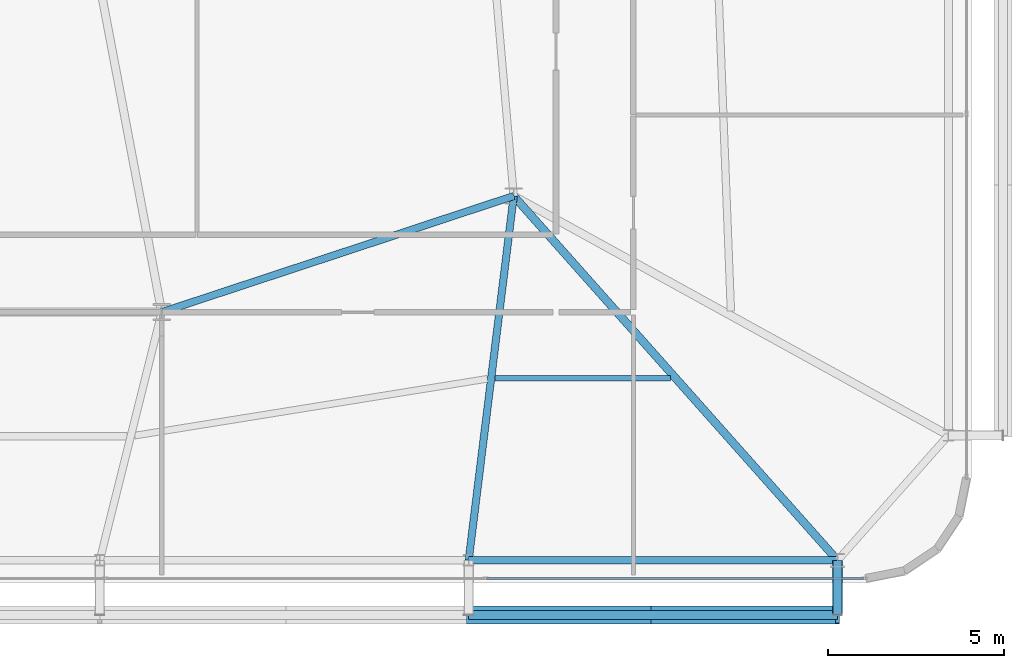
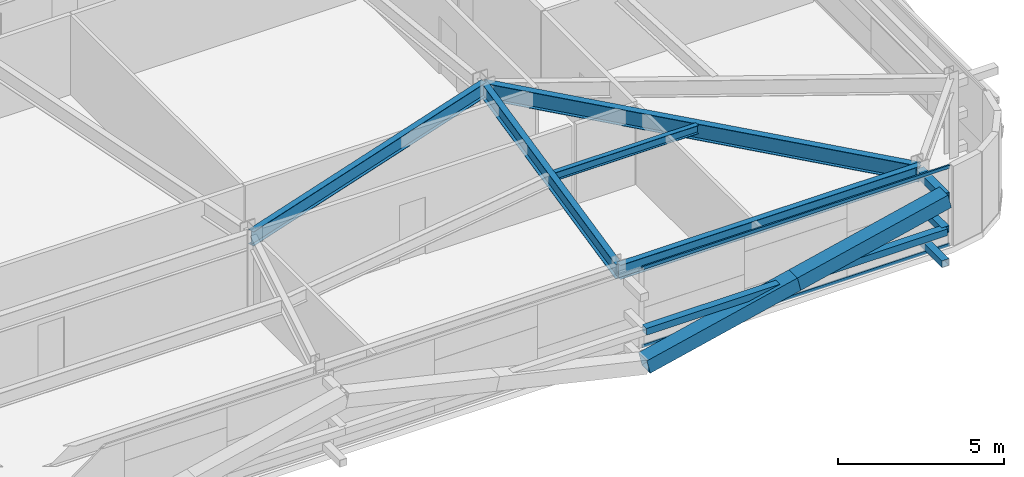
# One storey, part 14 of 44: 8 members, 5 beams, 1 element without a shape of its own.
"""IFC4 building model written with IfcOpenShell, lengths in metres."""

from ifc_helpers import new_model, si_unit, direction, frame, origin, origin_2d, place, context, subcontext, project, spatial, hollow_rectangle, i_section, extrude, source, transform, mapped, material, layer, layer_set, material_profile, profile_set, type_object, element, aggregate, save


model = new_model("IFC4")

# Units and contexts
model_context = context("Model", 3, precision=1e-05, world=origin(), true_north=direction((0.0, 1.0)))
body_context = subcontext(model_context, "Body", "Model", "MODEL_VIEW")
ifc_project = project(units=[si_unit("LENGTHUNIT", "METRE"), si_unit("AREAUNIT", "SQUARE_METRE"), si_unit("VOLUMEUNIT", "CUBIC_METRE"), si_unit("PLANEANGLEUNIT", "RADIAN"), si_unit("MASSUNIT", "GRAM", prefix="KILO")], contexts=[model_context])

# Site, building, storey
site_placement = place(None, origin())
site = spatial("IfcSite", under=ifc_project, at=site_placement, CompositionType="ELEMENT")
building_placement = place(site_placement, origin())
building = spatial("IfcBuilding", under=site, at=building_placement, Name="Taldren Reach Tower", CompositionType="ELEMENT")
storey_placement = place(building_placement, frame((0.0, 0.0, 42.0)))
storey = spatial("IfcBuildingStorey", under=building, at=storey_placement, Name="L12", CompositionType="ELEMENT", Elevation=42.0)

# Beams
ifc_material_1 = material(Name="Steel Gr 350 (350PLUS)", Category="steel")
ifc_material_profile_1 = material_profile(ifc_material_1, i_section(OverallWidth=0.208984375, OverallDepth=0.532958984375, WebThickness=0.01025390625, FlangeThickness=0.015625, at=origin_2d()), Name="530UB92.4")
ifc_profile_set_1 = profile_set([ifc_material_profile_1], Name="Steel Gr 350 (350PLUS)")
beam_type_1 = type_object("IfcBeamType", Name="BM-UB530A", PredefinedType="BEAM", material=ifc_profile_set_1)
shared_shape_1 = source(origin(), body_context, "Body", "SweptSolid", [
    extrude(i_section(OverallWidth=0.208984375, OverallDepth=0.532958984375, WebThickness=0.01025390625, FlangeThickness=0.015625, at=origin_2d()), origin(), (0.0, 0.0, 1.0), 10.530517578125),
])
beam_1_placement = place(storey_placement, frame((42.0, 9.199951171875, 2.66357421875), z_axis=(0.949627269203, 0.313381635689, 0.0), x_axis=(-0.313381635689, 0.949627269203, 0.0)))
element("IfcBeam", 1, at=beam_1_placement, inside=storey, type_object=beam_type_1, Name="Core-spine girder L12-SP12", PredefinedType="BEAM", context=body_context, shape_type="MappedRepresentation", body=[
    mapped(shared_shape_1, transform((0.0, 0.0, 0.0), scale=1.0)),
])
ifc_material_profile_2 = material_profile(ifc_material_1, i_section(OverallWidth=0.208984375, OverallDepth=0.528076171875, WebThickness=0.009521484375, FlangeThickness=0.01318359375, at=origin_2d()), Name="530UB82.0")
ifc_profile_set_2 = profile_set([ifc_material_profile_2], Name="Steel Gr 350 (350PLUS)")
beam_type_2 = type_object("IfcBeamType", Name="SP-UB530B", PredefinedType="SPANDREL", material=ifc_profile_set_2)
shared_shape_2 = source(origin(), body_context, "Body", "SweptSolid", [
    extrude(i_section(OverallWidth=0.208984375, OverallDepth=0.528076171875, WebThickness=0.009521484375, FlangeThickness=0.01318359375, at=origin_2d()), origin(), (0.0, 0.0, 1.0), 10.47998046875),
])
beam_2_placement = place(storey_placement, frame((50.719970703125, 2.14990234375, 2.666015625), z_axis=(1.0, 0.0, 0.0), x_axis=(0.0, 1.0, 0.0)))
element("IfcBeam", 2, at=beam_2_placement, inside=storey, type_object=beam_type_2, Name="Perimeter spandrel B1 S5-S6 L12", PredefinedType="SPANDREL", context=body_context, shape_type="MappedRepresentation", body=[
    mapped(shared_shape_2, transform((0.0, 0.0, 0.0), scale=1.0)),
])
ifc_material_profile_3 = material_profile(ifc_material_1, i_section(OverallWidth=0.22802734375, OverallDepth=0.60205078125, WebThickness=0.010498046875, FlangeThickness=0.014892578125, at=origin_2d()), Name="610UB101")
ifc_profile_set_3 = profile_set([ifc_material_profile_3], Name="Steel Gr 350 (350PLUS)")
beam_type_3 = type_object("IfcBeamType", Name="BM-UB610B", PredefinedType="BEAM", material=ifc_profile_set_3)
shared_shape_3 = source(origin(), body_context, "Body", "SweptSolid", [
    extrude(i_section(OverallWidth=0.22802734375, OverallDepth=0.60205078125, WebThickness=0.010498046875, FlangeThickness=0.014892578125, at=origin_2d()), origin(), (0.0, 0.0, 1.0), 13.847900390625),
])
beam_3_placement = place(storey_placement, frame((52.0, 12.5, 2.62890625), z_axis=(0.664358367375, -0.747414182164, 0.0), x_axis=(0.747414182164, 0.664358367375, 0.0)))
element("IfcBeam", 3, at=beam_3_placement, inside=storey, type_object=beam_type_3, Name="Primary floor girder B1-S6 L12", PredefinedType="BEAM", context=body_context, shape_type="MappedRepresentation", body=[
    mapped(shared_shape_3, transform((0.0, 0.0, 0.0), scale=1.0)),
])
shared_shape_4 = source(origin(), body_context, "Body", "SweptSolid", [
    extrude(i_section(OverallWidth=0.208984375, OverallDepth=0.532958984375, WebThickness=0.01025390625, FlangeThickness=0.015625, at=origin_2d()), origin(), (0.0, 0.0, 1.0), 10.428955078125),
])
beam_4_placement = place(storey_placement, frame((52.0, 12.5, 2.66357421875), z_axis=(-0.122738080664, -0.992439098159, 0.0), x_axis=(0.992439098159, -0.122738080664, 0.0)))
element("IfcBeam", 4, at=beam_4_placement, inside=storey, type_object=beam_type_1, Name="Primary floor girder B1-S5 L12", PredefinedType="BEAM", context=body_context, shape_type="MappedRepresentation", body=[
    mapped(shared_shape_4, transform((0.0, 0.0, 0.0), scale=1.0)),
])
ifc_material_2 = material(Name="Steel Gr 300 (300PLUS, 300 MPa)", Category="steel")
ifc_material_profile_4 = material_profile(ifc_material_2, i_section(OverallWidth=0.166015625, OverallDepth=0.306884765625, WebThickness=0.006591796875, FlangeThickness=0.01171875, at=origin_2d()), Name="310UB46.2")
ifc_profile_set_4 = profile_set([ifc_material_profile_4], Name="Steel Gr 300 (300PLUS, 300 MPa)")
beam_type_4 = type_object("IfcBeamType", Name="JS-UB310", PredefinedType="JOIST", material=ifc_profile_set_4)
shared_shape_5 = source(origin(), body_context, "Body", "SweptSolid", [
    extrude(i_section(OverallWidth=0.166015625, OverallDepth=0.306884765625, WebThickness=0.006591796875, FlangeThickness=0.01171875, at=origin_2d()), origin(), (0.0, 0.0, 1.0), 4.982177734375),
])
beam_5_placement = place(storey_placement, frame((51.46533203125, 7.324951171875, 2.776611328125), z_axis=(1.0, 0.0, 0.0), x_axis=(0.0, 1.0, 0.0)))
element("IfcBeam", 5, at=beam_5_placement, inside=storey, type_object=beam_type_4, Name="Secondary floor joist B1 J5 L12", PredefinedType="JOIST", context=body_context, shape_type="MappedRepresentation", body=[
    mapped(shared_shape_5, transform((0.0, 0.0, 0.0), scale=1.0)),
])

# Members
ifc_material_3 = material(Name="Steel Gr 450 (C450L0)", Category="steel")
ifc_material_profile_5 = material_profile(ifc_material_3, hollow_rectangle(XDim=0.27490234375, YDim=0.27490234375, WallThickness=0.00927734375, at=origin_2d()), Name="275x275x9.3SHS")
ifc_profile_set_5 = profile_set([ifc_material_profile_5], Name="Steel Gr 450 (C450L0)")
member_type_1 = type_object("IfcMemberType", Name="MB-TIE273", PredefinedType="STRUT", material=ifc_profile_set_5)
shared_shape_6 = source(origin(), body_context, "Body", "SweptSolid", [
    extrude(hollow_rectangle(XDim=0.27490234375, YDim=0.27490234375, WallThickness=0.00927734375, at=origin_2d()), origin(), (0.0, 0.0, 1.0), 1.5498046875),
])
member_1_placement = place(storey_placement, frame((61.199951171875, 2.14990234375, 2.64990234375), z_axis=(0.0, -1.0, 0.0), x_axis=(1.0, 0.0, 0.0)))
element("IfcMember", 6, at=member_1_placement, inside=storey, type_object=member_type_1, Name="Exoskeleton diaphragm tie strut B1-S6 L12", PredefinedType="STRUT", context=body_context, shape_type="MappedRepresentation", body=[
    mapped(shared_shape_6, transform((0.0, 0.0, 0.0), scale=1.0)),
])
ifc_material_profile_6 = material_profile(ifc_material_3, hollow_rectangle(XDim=0.510009765625, YDim=0.510009765625, WallThickness=0.02001953125, at=origin_2d()), Name="510x510x20.0SHS")
ifc_profile_set_6 = profile_set([ifc_material_profile_6], Name="Steel Gr 450 (C450L0)")
member_type_2 = type_object("IfcMemberType", Name="MB-EXO508", PredefinedType="BRACE", material=ifc_profile_set_6)
shared_shape_7 = source(origin(), body_context, "Body", "SweptSolid", [
    extrude(hollow_rectangle(XDim=0.510009765625, YDim=0.510009765625, WallThickness=0.02001953125, at=origin_2d()), origin(), (0.0, 0.0, 1.0), 5.37890625),
])
for number, where, z_axis, x_axis, name in (
    (7, (50.719970703125, 0.60009765625, 0.219970703125), (0.97415197996, 0.0, 0.225893603143), (0.0, 1.0, 0.0), "Exoskeleton Diagrid Brace B1-S5 L12"),
    (8, (55.9599609375, 0.60009765625, 1.43505859375), (0.974161966843, 0.0, 0.225850531007), (0.0, 1.0, 0.0), "Exoskeleton Diagrid Brace B1-S5 L12"),
):
    element("IfcMember", number, at=place(storey_placement, frame(where, z_axis=z_axis, x_axis=x_axis)), inside=storey, type_object=member_type_2, Name=name, PredefinedType="BRACE", context=body_context, shape_type="MappedRepresentation", body=[
        mapped(shared_shape_7, transform((0.0, 0.0, 0.0), scale=1.0)),
    ])
ifc_material_4 = material(Name="Steel Gr 350 (C350L0)", Category="steel")
ifc_material_profile_7 = material_profile(ifc_material_4, hollow_rectangle(XDim=0.25, YDim=0.25, WallThickness=0.010009765625, at=origin_2d()), Name="250x250x10.0SHS")
ifc_profile_set_7 = profile_set([ifc_material_profile_7], Name="Steel Gr 350 (C350L0)")
member_type_3 = type_object("IfcMemberType", Name="MB-POST250", PredefinedType="POST", material=ifc_profile_set_7)
shared_shape_8 = source(origin(), body_context, "Body", "SweptSolid", [
    extrude(hollow_rectangle(XDim=0.25, YDim=0.25, WallThickness=0.010009765625, at=origin_2d()), origin(), (0.0, 0.0, 1.0), 10.47998046875),
])
member_2_placement = place(storey_placement, frame((50.719970703125, 0.60009765625, 1.43505859375), z_axis=(1.0, 0.0, 0.0), x_axis=(0.0, 1.0, 0.0)))
element("IfcMember", 9, at=member_2_placement, inside=storey, type_object=member_type_3, Name="Exoskeleton mid-height ring chord B1-S5 L12", PredefinedType="POST", context=body_context, shape_type="MappedRepresentation", body=[
    mapped(shared_shape_8, transform((0.0, 0.0, 0.0), scale=1.0)),
])
shared_shape_9 = source(origin(), body_context, "Body", "SweptSolid", [
    extrude(hollow_rectangle(XDim=0.25, YDim=0.25, WallThickness=0.010009765625, at=origin_2d()), origin(), (0.0, 0.0, 1.0), 1.5498046875),
])
for number, where, z_axis, x_axis, name in (
    (10, (61.199951171875, 2.14990234375, 0.219970703125), (0.0, -1.0, 0.0), (1.0, 0.0, 0.0), "Exoskeleton base diaphragm tie strut B1-S6 L12"),
    (11, (61.199951171875, 2.14990234375, 1.43505859375), (0.0, -1.0, 0.0), (1.0, 0.0, 0.0), "Exoskeleton mid-tier diaphragm tie B1-S6 L12"),
):
    element("IfcMember", number, at=place(storey_placement, frame(where, z_axis=z_axis, x_axis=x_axis)), inside=storey, type_object=member_type_3, Name=name, PredefinedType="POST", context=body_context, shape_type="MappedRepresentation", body=[
        mapped(shared_shape_9, transform((0.0, 0.0, 0.0), scale=1.0)),
    ])

# Curtain wall, members
ifc_material_5 = material(Name="Aluminium and Low-E Glass Unitised System", Category="aluminium")
ifc_layer = layer(ifc_material_5, 0.159912109375)
ifc_layer_set = layer_set([ifc_layer], Name="Aluminium and Low-E Glass Unitised System")
curtain_wall_type = type_object("IfcCurtainWallType", Name="CW-SYS-2", PredefinedType="NOTDEFINED", material=ifc_layer_set)
curtain_wall_placement = place(storey_placement, origin())
curtain_wall = element("IfcCurtainWall", 12, at=curtain_wall_placement, inside=storey, type_object=curtain_wall_type, Name="Unitised curtain wall CW-L12-S", PredefinedType="NOTDEFINED")
ifc_material_6 = material(Name="Anodised Aluminium 6063-T6", Category="aluminium")
ifc_material_profile_8 = material_profile(ifc_material_6, hollow_rectangle(XDim=0.054931640625, YDim=0.1201171875, WallThickness=0.0029296875, at=origin_2d()), Name="ALU-120x55x3RHS")
ifc_profile_set_8 = profile_set([ifc_material_profile_8], Name="Anodised Aluminium 6063-T6")
member_type_4 = type_object("IfcMemberType", Name="CW-TRN-135", PredefinedType="USERDEFINED", material=ifc_profile_set_8)
shared_shape_10 = source(origin(), body_context, "Body", "SweptSolid", [
    extrude(hollow_rectangle(XDim=0.054931640625, YDim=0.1201171875, WallThickness=0.0029296875, at=origin_2d()), origin(), (0.0, 0.0, 1.0), 10.70263671875),
])
member_3_placement = place(storey_placement, frame((51.232421875, 1.639892578125, 0.027587890625), z_axis=(1.0, 0.0, 0.0), x_axis=(0.0, 1.0, 0.0)))
member_3 = element("IfcMember", 13, at=member_3_placement, type_object=member_type_4, Name="CW-2 transom 5.1", ObjectType="TRANSOM", PredefinedType="USERDEFINED", context=body_context, shape_type="MappedRepresentation", body=[
    mapped(shared_shape_10, transform((0.0, 0.0, 0.0), scale=1.0)),
])
member_4_placement = place(storey_placement, frame((51.232421875, 1.639892578125, 2.902587890625), z_axis=(1.0, 0.0, 0.0), x_axis=(0.0, 1.0, 0.0)))
member_4 = element("IfcMember", 14, at=member_4_placement, type_object=member_type_4, Name="CW-2 transom 5.2", ObjectType="TRANSOM", PredefinedType="USERDEFINED", context=body_context, shape_type="MappedRepresentation", body=[
    mapped(shared_shape_10, transform((0.0, 0.0, 0.0), scale=1.0)),
])
aggregate(curtain_wall, [member_3, member_4])

save(model, "model.ifc")
